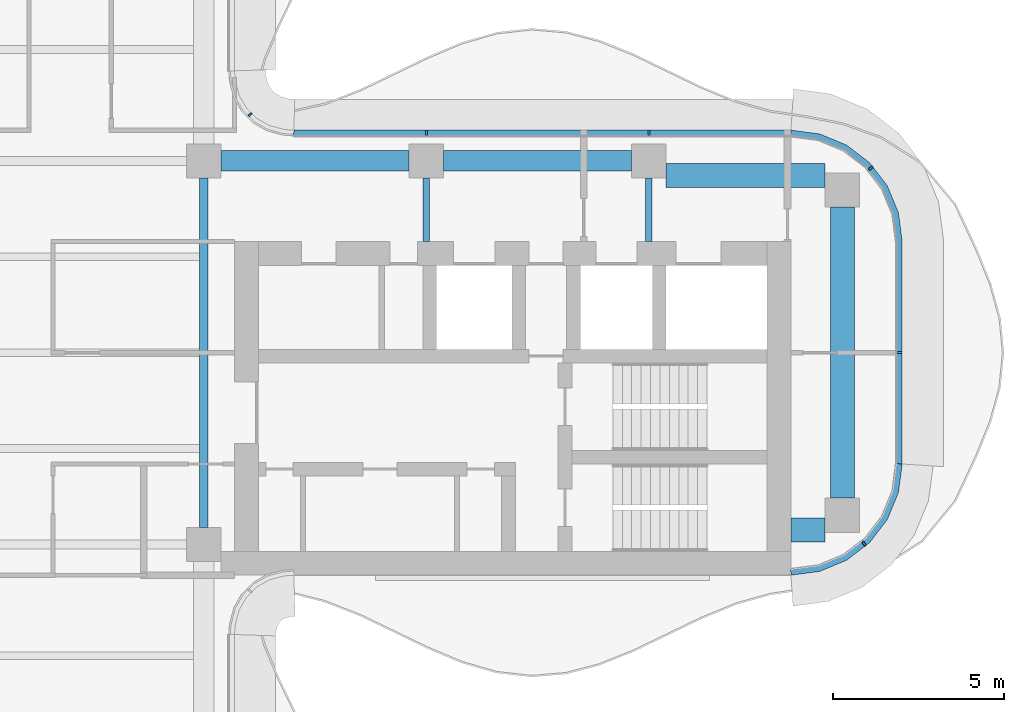
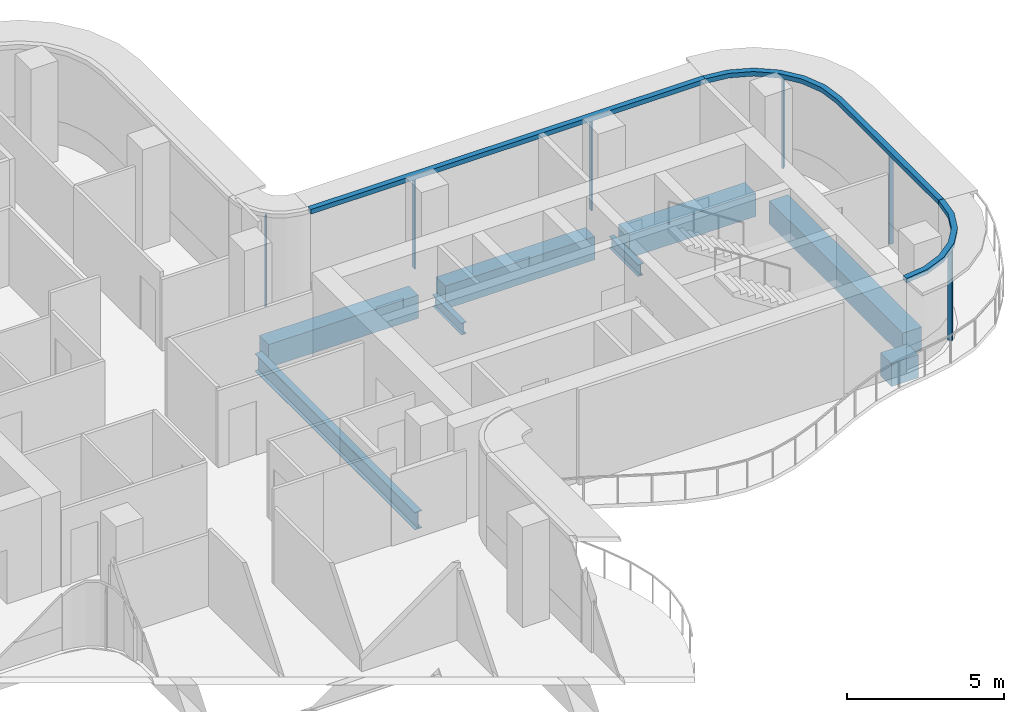
# One storey, part 6 of 16: 9 members, 8 beams, 4 elements without a shape of their own.
"""IFC4 building model written with IfcOpenShell, lengths in metres."""

from ifc_helpers import new_model, si_unit, direction, frame, origin, origin_2d, place, context, subcontext, project, spatial, polyline, rectangle, i_section, outline, extrude, source, transform, mapped, material, layer, layer_set, material_profile, profile_set, type_object, element, aggregate, save


model = new_model("IFC4")

# Units and contexts
model_context = context("Model", 3, precision=1e-05, world=origin(), true_north=direction((0.0, 1.0)))
body_context = subcontext(model_context, "Body", "Model", "MODEL_VIEW")
ifc_project = project(units=[si_unit("LENGTHUNIT", "METRE"), si_unit("AREAUNIT", "SQUARE_METRE"), si_unit("VOLUMEUNIT", "CUBIC_METRE"), si_unit("PLANEANGLEUNIT", "RADIAN"), si_unit("MASSUNIT", "GRAM", prefix="KILO")], contexts=[model_context])

# Site, building, storey
site_placement = place(None, origin())
site = spatial("IfcSite", under=ifc_project, at=site_placement, CompositionType="ELEMENT")
building_placement = place(site_placement, origin())
building = spatial("IfcBuilding", under=site, at=building_placement, Name="Trellis Farm Tower", CompositionType="ELEMENT")
storey_placement = place(building_placement, frame((0.0, 0.0, 318.39990234375)))
storey = spatial("IfcBuildingStorey", under=building, at=storey_placement, Name="L72", CompositionType="ELEMENT", Elevation=318.39990234375)

# Beams
ifc_material_1 = material(Name="Steel S355", Category="steel")
ifc_material_profile_1 = material_profile(ifc_material_1, i_section(OverallWidth=0.253662109375, OverallDepth=0.68359375, WebThickness=0.012451171875, FlangeThickness=0.021728515625, FilletRadius=0.01513671875, at=origin_2d()), Name="UB 686x254x140")
ifc_profile_set_1 = profile_set([ifc_material_profile_1], Name="Steel S355")
beam_type_1 = type_object("IfcBeamType", Name="UB 686x254x140", PredefinedType="BEAM", material=ifc_profile_set_1)
shared_shape_1 = source(origin(), body_context, "Body", "SweptSolid", [
    extrude(i_section(OverallWidth=0.253662109375, OverallDepth=0.68359375, WebThickness=0.012451171875, FlangeThickness=0.021728515625, FilletRadius=0.01513671875, at=origin_2d()), origin(), (0.0, 0.0, 1.0), 10.2001953125),
])
beam_1_placement = place(storey_placement, frame((5.60009765625, -5.10009765625, -0.541748046875), z_axis=(0.0, 1.0, 0.0), x_axis=(-1.0, 0.0, 0.0)))
element("IfcBeam", 1, at=beam_1_placement, inside=storey, type_object=beam_type_1, Name="Girder", PredefinedType="BEAM", context=body_context, shape_type="MappedRepresentation", body=[
    mapped(shared_shape_1, transform((0.0, 0.0, 0.0))),
])
ifc_material_profile_2 = material_profile(ifc_material_1, i_section(OverallWidth=0.1904296875, OverallDepth=0.45703125, WebThickness=0.009033203125, FlangeThickness=0.014404296875, FilletRadius=0.01025390625, at=origin_2d()), Name="UB 457x191x74")
ifc_profile_set_2 = profile_set([ifc_material_profile_2], Name="Steel S355")
beam_type_2 = type_object("IfcBeamType", Name="UB 457x191x74", PredefinedType="BEAM", material=ifc_profile_set_2)
shared_shape_2 = source(origin(), body_context, "Body", "SweptSolid", [
    extrude(i_section(OverallWidth=0.1904296875, OverallDepth=0.45703125, WebThickness=0.009033203125, FlangeThickness=0.014404296875, FilletRadius=0.01025390625, at=origin_2d()), origin(), (0.0, 0.0, 1.0), 1.85009765625),
])
for number, where, z_axis, x_axis, name in (
    (2, (12.10009765625, 3.25, -0.428466796875), (0.0, 1.0, 0.0), (-1.0, 0.0, 0.0), "Girder"),
    (3, (18.60009765625, 3.25, -0.428466796875), (0.0, 1.0, 0.0), (-1.0, 0.0, 0.0), "Girder"),
):
    element("IfcBeam", number, at=place(storey_placement, frame(where, z_axis=z_axis, x_axis=x_axis)), inside=storey, type_object=beam_type_2, Name=name, PredefinedType="BEAM", context=body_context, shape_type="MappedRepresentation", body=[
        mapped(shared_shape_2, transform((0.0, 0.0, 0.0))),
    ])
ifc_material_2 = material(Name="Concrete C60/75", Category="concrete")
ifc_material_profile_3 = material_profile(ifc_material_2, rectangle(XDim=0.60009765625, YDim=0.89990234375, at=origin_2d()), Name="RC spandrel beam 600x900 C60/75")
ifc_profile_set_3 = profile_set([ifc_material_profile_3], Name="Concrete C60/75")
beam_type_3 = type_object("IfcBeamType", Name="RC spandrel beam 600x900 C60/75", PredefinedType="SPANDREL", material=ifc_profile_set_3)
shared_shape_3 = source(origin(), body_context, "Body", "SweptSolid", [
    extrude(rectangle(XDim=0.60009765625, YDim=0.89990234375, at=origin_2d()), origin(), (0.0, 0.0, 1.0), 5.5),
])
for number, where, z_axis, x_axis, name in (
    (4, (6.10009765625, 5.60009765625, -0.64990234375), (1.0, 0.0, 0.0), (0.0, 1.0, 0.0), "Girder"),
    (5, (12.60009765625, 5.60009765625, -0.64990234375), (1.0, 0.0, 0.0), (0.0, 1.0, 0.0), "Girder"),
):
    element("IfcBeam", number, at=place(storey_placement, frame(where, z_axis=z_axis, x_axis=x_axis)), inside=storey, type_object=beam_type_3, Name=name, PredefinedType="SPANDREL", context=body_context, shape_type="MappedRepresentation", body=[
        mapped(shared_shape_3, transform((0.0, 0.0, 0.0))),
    ])
ifc_material_profile_4 = material_profile(ifc_material_2, rectangle(XDim=0.699951171875, YDim=0.89990234375, at=origin_2d()), Name="RC spandrel beam 700x900 C60/75")
ifc_profile_set_4 = profile_set([ifc_material_profile_4], Name="Concrete C60/75")
beam_type_4 = type_object("IfcBeamType", Name="RC spandrel beam 700x900 C60/75", PredefinedType="SPANDREL", material=ifc_profile_set_4)
shared_shape_4 = source(origin(), body_context, "Body", "SweptSolid", [
    extrude(rectangle(XDim=0.699951171875, YDim=0.89990234375, at=origin_2d()), origin(), (0.0, 0.0, 1.0), 1.0),
])
beam_2_placement = place(storey_placement, frame((22.75, -5.175048828125, -0.64990234375), z_axis=(1.0, 0.0, 0.0), x_axis=(0.0, 1.0, 0.0)))
element("IfcBeam", 6, at=beam_2_placement, inside=storey, type_object=beam_type_4, Name="Girder", PredefinedType="SPANDREL", context=body_context, shape_type="MappedRepresentation", body=[
    mapped(shared_shape_4, transform((0.0, 0.0, 0.0))),
])
shared_shape_5 = source(origin(), body_context, "Body", "SweptSolid", [
    extrude(rectangle(XDim=0.699951171875, YDim=0.89990234375, at=origin_2d()), origin(), (0.0, 0.0, 1.0), 4.64990234375),
])
beam_3_placement = place(storey_placement, frame((19.10009765625, 5.175048828125, -0.64990234375), z_axis=(1.0, 0.0, 0.0), x_axis=(0.0, 1.0, 0.0)))
element("IfcBeam", 7, at=beam_3_placement, inside=storey, type_object=beam_type_4, Name="Girder", PredefinedType="SPANDREL", context=body_context, shape_type="MappedRepresentation", body=[
    mapped(shared_shape_5, transform((0.0, 0.0, 0.0))),
])
shared_shape_6 = source(origin(), body_context, "Body", "SweptSolid", [
    extrude(rectangle(XDim=0.699951171875, YDim=0.89990234375, at=origin_2d()), origin(), (0.0, 0.0, 1.0), 8.5),
])
beam_4_placement = place(storey_placement, frame((24.25, -4.25, -0.64990234375), z_axis=(0.0, 1.0, 0.0), x_axis=(-1.0, 0.0, 0.0)))
element("IfcBeam", 8, at=beam_4_placement, inside=storey, type_object=beam_type_4, Name="Girder", PredefinedType="SPANDREL", context=body_context, shape_type="MappedRepresentation", body=[
    mapped(shared_shape_6, transform((0.0, 0.0, 0.0))),
])

# Curtain wall, member
ifc_material_3 = material(Name="Aluminium and glass curtain wall", Category="aluminium")
ifc_layer_1 = layer(ifc_material_3, 0.18994140625)
ifc_layer_set_1 = layer_set([ifc_layer_1], Name="RIBBON CURTAIN WALL CW1")
curtain_wall_type_1 = type_object("IfcCurtainWallType", Name="RIBBON CURTAIN WALL CW1", PredefinedType="NOTDEFINED", material=ifc_layer_set_1)
placement_1 = place(storey_placement, origin())
curtain_wall_1 = element("IfcCurtainWall", 9, at=placement_1, inside=storey, type_object=curtain_wall_type_1, Name="CW1 006", PredefinedType="NOTDEFINED")
ifc_material_4 = material(Name="Aluminium extrusion 6063-T6", Category="aluminium")
ifc_material_profile_5 = material_profile(ifc_material_4, rectangle(XDim=0.06005859375, YDim=0.14990234375, at=origin_2d()), Name="MULLION 60x150")
ifc_profile_set_5 = profile_set([ifc_material_profile_5], Name="Aluminium extrusion 6063-T6")
member_type_1 = type_object("IfcMemberType", Name="CW1 MULLION 60x150", PredefinedType="MULLION", material=ifc_profile_set_5)
shared_shape_7 = source(origin(), body_context, "Body", "SweptSolid", [
    extrude(rectangle(XDim=0.06005859375, YDim=0.14990234375, at=origin_2d()), origin(), (0.0, 0.0, 1.0), 3.52001953125),
])
member_1_placement = place(storey_placement, frame((24.885498046875, -5.578369140625, 0.0), z_axis=(0.0, 0.0, 1.0), x_axis=(0.793353340291, 0.608761429009, 0.0)))
member_1 = element("IfcMember", 10, at=member_1_placement, type_object=member_type_1, Name="MU1 006-01", PredefinedType="MULLION", context=body_context, shape_type="MappedRepresentation", body=[
    mapped(shared_shape_7, transform((0.0, 0.0, 0.0))),
])

# Curtain wall, members
curtain_wall_2 = element("IfcCurtainWall", 11, at=placement_1, inside=storey, type_object=curtain_wall_type_1, Name="CW1 007", PredefinedType="NOTDEFINED")
member_2_placement = place(storey_placement, frame((25.925048828125, 0.0, 0.0), z_axis=(0.0, 0.0, 1.0), x_axis=(0.0, 1.0, 0.0)))
member_2 = element("IfcMember", 12, at=member_2_placement, type_object=member_type_1, Name="MU1 007-01", PredefinedType="MULLION", context=body_context, shape_type="MappedRepresentation", body=[
    mapped(shared_shape_7, transform((0.0, 0.0, 0.0))),
])
member_3_placement = place(storey_placement, frame((25.078369140625, 5.385498046875, 0.0), z_axis=(0.0, 0.0, 1.0), x_axis=(-0.608761429009, 0.793353340291, 0.0)))
member_3 = element("IfcMember", 13, at=member_3_placement, type_object=member_type_1, Name="MU1 007-02", PredefinedType="MULLION", context=body_context, shape_type="MappedRepresentation", body=[
    mapped(shared_shape_7, transform((0.0, 0.0, 0.0))),
])

curtain_wall_3 = element("IfcCurtainWall", 14, at=placement_1, inside=storey, type_object=curtain_wall_type_1, Name="CW1 008", PredefinedType="NOTDEFINED")
member_4_placement = place(storey_placement, frame((18.60009765625, 6.425048828125, 0.0), z_axis=(0.0, 0.0, 1.0), x_axis=(-1.0, 0.0, 0.0)))
member_4 = element("IfcMember", 15, at=member_4_placement, type_object=member_type_1, Name="MU1 008-01", PredefinedType="MULLION", context=body_context, shape_type="MappedRepresentation", body=[
    mapped(shared_shape_7, transform((0.0, 0.0, 0.0))),
])
member_5_placement = place(storey_placement, frame((12.10009765625, 6.425048828125, 0.0), z_axis=(0.0, 0.0, 1.0), x_axis=(-1.0, 0.0, 0.0)))
member_5 = element("IfcMember", 16, at=member_5_placement, type_object=member_type_1, Name="MU1 008-02", PredefinedType="MULLION", context=body_context, shape_type="MappedRepresentation", body=[
    mapped(shared_shape_7, transform((0.0, 0.0, 0.0))),
])

# Curtain wall, member
ifc_layer_2 = layer(ifc_material_3, 0.166015625)
ifc_layer_set_2 = layer_set([ifc_layer_2], Name="WINTER GARDEN CURTAIN WALL CW3")
curtain_wall_type_2 = type_object("IfcCurtainWallType", Name="WINTER GARDEN CURTAIN WALL CW3", PredefinedType="NOTDEFINED", material=ifc_layer_set_2)
curtain_wall_4 = element("IfcCurtainWall", 17, at=placement_1, inside=storey, type_object=curtain_wall_type_2, Name="CW3 003", PredefinedType="NOTDEFINED")
ifc_material_profile_6 = material_profile(ifc_material_4, rectangle(XDim=0.050048828125, YDim=0.1201171875, at=origin_2d()), Name="MULLION 50x120")
ifc_profile_set_6 = profile_set([ifc_material_profile_6], Name="Aluminium extrusion 6063-T6")
member_type_2 = type_object("IfcMemberType", Name="CW3 MULLION 50x120", PredefinedType="MULLION", material=ifc_profile_set_6)
shared_shape_8 = source(origin(), body_context, "Body", "SweptSolid", [
    extrude(rectangle(XDim=0.050048828125, YDim=0.1201171875, at=origin_2d()), origin(), (0.0, 0.0, 1.0), 3.550048828125),
])
member_6_placement = place(storey_placement, frame((6.953125, 6.953125, 0.0), z_axis=(0.0, 0.0, 1.0), x_axis=(-0.707106781187, 0.707106781187, 0.0)))
member_6 = element("IfcMember", 18, at=member_6_placement, type_object=member_type_2, Name="MU3 003-01", PredefinedType="MULLION", context=body_context, shape_type="MappedRepresentation", body=[
    mapped(shared_shape_8, transform((0.0, 0.0, 0.0))),
])
aggregate(curtain_wall_4, [member_6])

# Member
ifc_layer_3 = layer(ifc_material_4, 0.199951171875)
ifc_layer_set_3 = layer_set([ifc_layer_3], Name="Aluminium extrusion 6063-T6")
member_type_3 = type_object("IfcMemberType", Name="CW1 TRANSOM 200x180", PredefinedType="USERDEFINED", material=ifc_layer_set_3)
shared_shape_9 = source(origin(), body_context, "Body", "SweptSolid", [
    extrude(outline(polyline([(22.75, -6.5), (23.591064453125, -6.38916015625), (24.375, -6.064697265625), (25.048095703125, -5.548095703125), (25.564697265625, -4.875), (25.88916015625, -4.091064453125), (26.0, -3.25), (25.800048828125, -3.23681640625), (25.6943359375, -4.0390625), (25.389892578125, -4.774169921875), (24.905517578125, -5.405517578125), (24.274169921875, -5.889892578125), (23.5390625, -6.1943359375), (22.73681640625, -6.300048828125), (22.75, -6.5)])), origin(), (0.0, 0.0, 1.0), 0.18017578125),
])
placement_2 = place(storey_placement, frame((0.0, 0.0, 3.52001953125)))
member_7 = element("IfcMember", 19, at=placement_2, type_object=member_type_3, Name="TR1 006", ObjectType="TRANSOM", PredefinedType="USERDEFINED", context=body_context, shape_type="MappedRepresentation", body=[
    mapped(shared_shape_9, transform((0.0, 0.0, 0.0))),
])

aggregate(curtain_wall_1, [member_1, member_7])

shared_shape_10 = source(origin(), body_context, "Body", "SweptSolid", [
    extrude(outline(polyline([(26.0, -3.25), (26.0, 3.25), (25.88916015625, 4.091064453125), (25.564697265625, 4.875), (25.048095703125, 5.548095703125), (24.375, 6.064697265625), (23.591064453125, 6.38916015625), (22.75, 6.5), (22.73681640625, 6.300048828125), (23.5390625, 6.1943359375), (24.274169921875, 5.889892578125), (24.905517578125, 5.405517578125), (25.389892578125, 4.774169921875), (25.6943359375, 4.0390625), (25.800048828125, 3.23681640625), (25.800048828125, -3.23681640625), (26.0, -3.25)])), origin(), (0.0, 0.0, 1.0), 0.18017578125),
])
member_8 = element("IfcMember", 20, at=placement_2, type_object=member_type_3, Name="TR1 007", ObjectType="TRANSOM", PredefinedType="USERDEFINED", context=body_context, shape_type="MappedRepresentation", body=[
    mapped(shared_shape_10, transform((0.0, 0.0, 0.0))),
])

aggregate(curtain_wall_2, [member_2, member_3, member_8])

shared_shape_11 = source(origin(), body_context, "Body", "SweptSolid", [
    extrude(outline(polyline([(22.75, 6.5), (8.2314453125, 6.5), (8.224853515625, 6.300048828125), (22.73681640625, 6.300048828125), (22.75, 6.5)])), origin(), (0.0, 0.0, 1.0), 0.18017578125),
])
member_9 = element("IfcMember", 21, at=placement_2, type_object=member_type_3, Name="TR1 008", ObjectType="TRANSOM", PredefinedType="USERDEFINED", context=body_context, shape_type="MappedRepresentation", body=[
    mapped(shared_shape_11, transform((0.0, 0.0, 0.0))),
])

aggregate(curtain_wall_3, [member_4, member_5, member_9])

save(model, "model.ifc")
